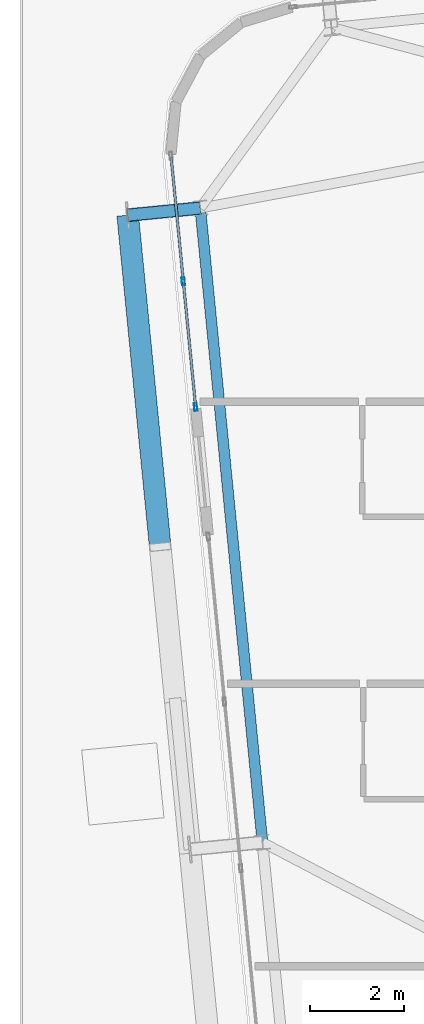
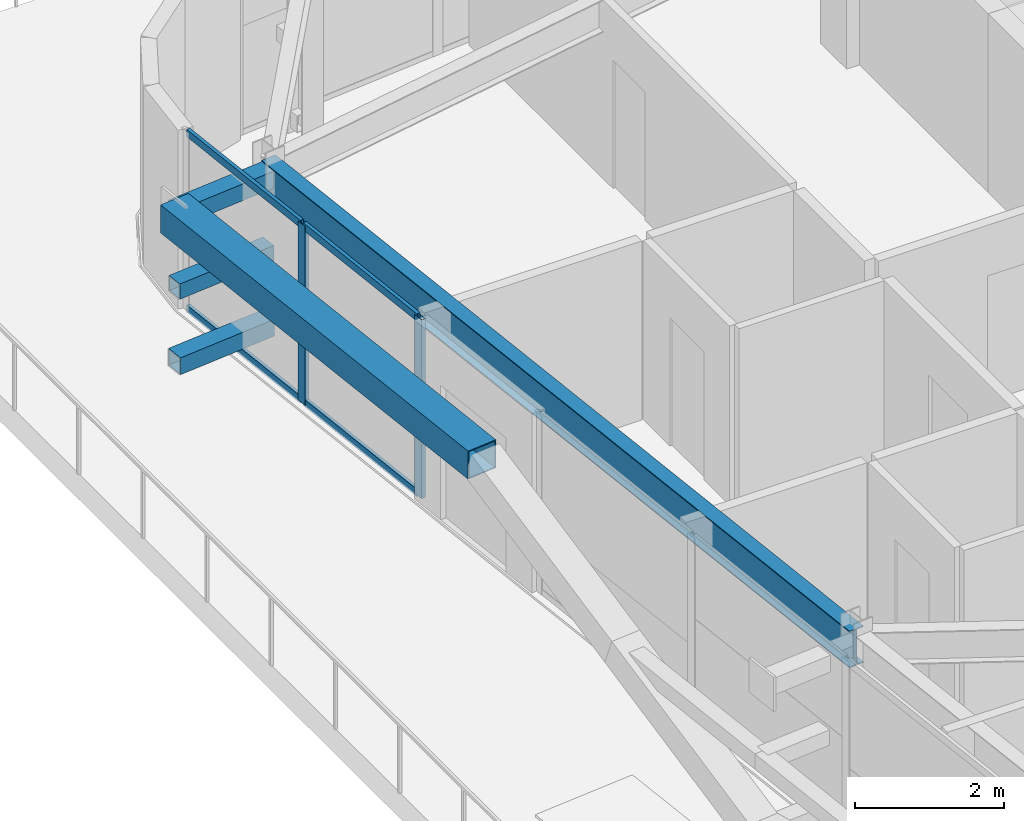
# One storey, part 15 of 51: 10 members, 1 beam, 1 element without a shape of its own.
"""IFC4 building model written with IfcOpenShell, lengths in metres."""

from ifc_helpers import new_model, si_unit, direction, frame, origin, origin_2d, place, context, subcontext, project, spatial, hollow_rectangle, i_section, extrude, source, transform, mapped, material, layer, layer_set, material_profile, profile_set, type_object, element, aggregate, save


model = new_model("IFC4")

# Units and contexts
model_context = context("Model", 3, precision=1e-05, world=origin(), true_north=direction((0.0, 1.0)))
body_context = subcontext(model_context, "Body", "Model", "MODEL_VIEW")
ifc_project = project(units=[si_unit("LENGTHUNIT", "METRE"), si_unit("AREAUNIT", "SQUARE_METRE"), si_unit("VOLUMEUNIT", "CUBIC_METRE"), si_unit("PLANEANGLEUNIT", "RADIAN"), si_unit("MASSUNIT", "GRAM", prefix="KILO")], contexts=[model_context])

# Site, building, storey
site_placement = place(None, origin())
site = spatial("IfcSite", under=ifc_project, at=site_placement, CompositionType="ELEMENT")
building_placement = place(site_placement, origin())
building = spatial("IfcBuilding", under=site, at=building_placement, Name="Taldren Reach Tower", CompositionType="ELEMENT")
storey_placement = place(building_placement, frame((0.0, 0.0, 65.10009765625)))
storey = spatial("IfcBuildingStorey", under=building, at=storey_placement, Name="L19", CompositionType="ELEMENT", Elevation=65.10009765625)

# Beam
ifc_material_1 = material(Name="Steel Gr 350 (350PLUS)", Category="steel")
ifc_material_profile_1 = material_profile(ifc_material_1, i_section(OverallWidth=0.22802734375, OverallDepth=0.60205078125, WebThickness=0.010498046875, FlangeThickness=0.014892578125, at=origin_2d()), Name="610UB101")
ifc_profile_set_1 = profile_set([ifc_material_profile_1], Name="Steel Gr 350 (350PLUS)")
beam_type = type_object("IfcBeamType", Name="BM-UB610B", PredefinedType="BEAM", material=ifc_profile_set_1)
shared_shape_1 = source(origin(), body_context, "Body", "SweptSolid", [
    extrude(i_section(OverallWidth=0.22802734375, OverallDepth=0.60205078125, WebThickness=0.010498046875, FlangeThickness=0.014892578125, at=origin_2d()), origin(), (0.0, 0.0, 1.0), 13.550048828125),
])
beam_placement = place(storey_placement, frame((8.808349609375, 30.116455078125, 2.62890625), z_axis=(0.097584021339, -0.995227290009, 0.0), x_axis=(0.995227290009, 0.097584021339, 0.0)))
element("IfcBeam", 1, at=beam_placement, inside=storey, type_object=beam_type, Name="Perimeter gable girder B2 W3-W2 L19", PredefinedType="BEAM", context=body_context, shape_type="MappedRepresentation", body=[
    mapped(shared_shape_1, transform((0.0, 0.0, 0.0), scale=1.0)),
])

# Members
ifc_material_2 = material(Name="Steel Gr 450 (C450L0)", Category="steel")
ifc_material_profile_2 = material_profile(ifc_material_2, hollow_rectangle(XDim=0.27490234375, YDim=0.27490234375, WallThickness=0.00927734375, at=origin_2d()), Name="275x275x9.3SHS")
ifc_profile_set_2 = profile_set([ifc_material_profile_2], Name="Steel Gr 450 (C450L0)")
member_type_1 = type_object("IfcMemberType", Name="MB-TIE273", PredefinedType="STRUT", material=ifc_profile_set_2)
shared_shape_2 = source(origin(), body_context, "Body", "SweptSolid", [
    extrude(hollow_rectangle(XDim=0.27490234375, YDim=0.27490234375, WallThickness=0.00927734375, at=origin_2d()), origin(), (0.0, 0.0, 1.0), 1.550048828125),
])
for number, where, z_axis, x_axis, name in (
    (2, (8.808349609375, 30.116455078125, 2.64990234375), (-0.9952210252, -0.097647892962, 0.0), (0.097647892962, -0.9952210252, 0.0), "Exoskeleton diaphragm tie strut B2-W3 L19"),
    (3, (8.808349609375, 30.116455078125, 0.219970703125), (-0.9952210252, -0.097647892962, 0.0), (0.097647892962, -0.9952210252, 0.0), "Exoskeleton base diaphragm tie strut B2-W3 L19"),
):
    element("IfcMember", number, at=place(storey_placement, frame(where, z_axis=z_axis, x_axis=x_axis)), inside=storey, type_object=member_type_1, Name=name, PredefinedType="STRUT", context=body_context, shape_type="MappedRepresentation", body=[
        mapped(shared_shape_2, transform((0.0, 0.0, 0.0), scale=1.0)),
    ])
ifc_material_3 = material(Name="Steel Gr 350 (C350L0)", Category="steel")
ifc_material_profile_3 = material_profile(ifc_material_3, hollow_rectangle(XDim=0.25, YDim=0.25, WallThickness=0.010009765625, at=origin_2d()), Name="250x250x10.0SHS")
ifc_profile_set_3 = profile_set([ifc_material_profile_3], Name="Steel Gr 350 (C350L0)")
member_type_2 = type_object("IfcMemberType", Name="MB-POST250", PredefinedType="POST", material=ifc_profile_set_3)
shared_shape_3 = source(origin(), body_context, "Body", "SweptSolid", [
    extrude(hollow_rectangle(XDim=0.25, YDim=0.25, WallThickness=0.010009765625, at=origin_2d()), origin(), (0.0, 0.0, 1.0), 1.550048828125),
])
member_1_placement = place(storey_placement, frame((8.808349609375, 30.116455078125, 1.434814453125), z_axis=(-0.9952210252, -0.097647892962, 0.0), x_axis=(0.097647892962, -0.9952210252, 0.0)))
element("IfcMember", 4, at=member_1_placement, inside=storey, type_object=member_type_2, Name="Exoskeleton mid-tier diaphragm tie B2-W3 L19", PredefinedType="POST", context=body_context, shape_type="MappedRepresentation", body=[
    mapped(shared_shape_3, transform((0.0, 0.0, 0.0), scale=1.0)),
])

# Curtain wall, members
ifc_material_4 = material(Name="Aluminium and Low-E Glass Unitised System", Category="aluminium")
ifc_layer = layer(ifc_material_4, 0.159912109375)
ifc_layer_set = layer_set([ifc_layer], Name="Aluminium and Low-E Glass Unitised System")
curtain_wall_type = type_object("IfcCurtainWallType", Name="CW-SYS-3", PredefinedType="NOTDEFINED", material=ifc_layer_set)
curtain_wall_placement = place(storey_placement, origin())
curtain_wall = element("IfcCurtainWall", 5, at=curtain_wall_placement, inside=storey, type_object=curtain_wall_type, Name="Unitised curtain wall CW-L19-W1", PredefinedType="NOTDEFINED")
ifc_material_5 = material(Name="Anodised Aluminium 6063-T6", Category="aluminium")
ifc_material_profile_4 = material_profile(ifc_material_5, hollow_rectangle(XDim=0.06494140625, YDim=0.1650390625, WallThickness=0.00390625, at=origin_2d()), Name="ALU-165x65x4RHS")
ifc_profile_set_4 = profile_set([ifc_material_profile_4], Name="Anodised Aluminium 6063-T6")
member_type_3 = type_object("IfcMemberType", Name="CW-MUL-165", PredefinedType="MULLION", material=ifc_profile_set_4)
shared_shape_4 = source(origin(), body_context, "Body", "SweptSolid", [
    extrude(hollow_rectangle(XDim=0.06494140625, YDim=0.1650390625, WallThickness=0.00390625, at=origin_2d()), origin(), (0.0, 0.0, 1.0), 2.929931640625),
])
member_2_placement = place(storey_placement, frame((8.44873046875, 28.556396484375, 0.0), z_axis=(0.0, 0.0, 1.0), x_axis=(0.995227453053, 0.097582358493, 0.0)))
member_2 = element("IfcMember", 6, at=member_2_placement, type_object=member_type_3, Name="CW-3 mullion 2", PredefinedType="MULLION", context=body_context, shape_type="MappedRepresentation", body=[
    mapped(shared_shape_4, transform((0.0, 0.0, 0.0), scale=1.0)),
])
member_3_placement = place(storey_placement, frame((8.710693359375, 25.88427734375, 0.0), z_axis=(0.0, 0.0, 1.0), x_axis=(0.995227453053, 0.097582358493, 0.0)))
member_3 = element("IfcMember", 7, at=member_3_placement, type_object=member_type_3, Name="CW-3 mullion 3", PredefinedType="MULLION", context=body_context, shape_type="MappedRepresentation", body=[
    mapped(shared_shape_4, transform((0.0, 0.0, 0.0), scale=1.0)),
])
ifc_material_profile_5 = material_profile(ifc_material_5, hollow_rectangle(XDim=0.054931640625, YDim=0.1201171875, WallThickness=0.0029296875, at=origin_2d()), Name="ALU-120x55x3RHS")
ifc_profile_set_5 = profile_set([ifc_material_profile_5], Name="Anodised Aluminium 6063-T6")
member_type_4 = type_object("IfcMemberType", Name="CW-TRN-135", PredefinedType="USERDEFINED", material=ifc_profile_set_5)
shared_shape_5 = source(origin(), body_context, "Body", "SweptSolid", [
    extrude(hollow_rectangle(XDim=0.054931640625, YDim=0.1201171875, WallThickness=0.0029296875, at=origin_2d()), origin(), (0.0, 0.0, 1.0), 2.619873046875),
])
member_4_placement = place(storey_placement, frame((8.18994140625, 31.1962890625, 0.02734375), z_axis=(0.097565994672, -0.995229057395, 0.0), x_axis=(0.995229057395, 0.097565994672, 0.0)))
member_4 = element("IfcMember", 8, at=member_4_placement, type_object=member_type_4, Name="CW-3 transom 1.1", ObjectType="TRANSOM", PredefinedType="USERDEFINED", context=body_context, shape_type="MappedRepresentation", body=[
    mapped(shared_shape_5, transform((0.0, 0.0, 0.0), scale=1.0)),
])
member_5_placement = place(storey_placement, frame((8.18994140625, 31.1962890625, 2.90234375), z_axis=(0.097565994672, -0.995229057395, 0.0), x_axis=(0.995229057395, 0.097565994672, 0.0)))
member_5 = element("IfcMember", 9, at=member_5_placement, type_object=member_type_4, Name="CW-3 transom 1.2", ObjectType="TRANSOM", PredefinedType="USERDEFINED", context=body_context, shape_type="MappedRepresentation", body=[
    mapped(shared_shape_5, transform((0.0, 0.0, 0.0), scale=1.0)),
])
shared_shape_6 = source(origin(), body_context, "Body", "SweptSolid", [
    extrude(hollow_rectangle(XDim=0.054931640625, YDim=0.1201171875, WallThickness=0.0029296875, at=origin_2d()), origin(), (0.0, 0.0, 1.0), 2.6201171875),
])
member_6_placement = place(storey_placement, frame((8.451904296875, 28.524169921875, 0.02734375), z_axis=(0.097556947075, -0.995229944323, 0.0), x_axis=(0.995229944323, 0.097556947075, 0.0)))
member_6 = element("IfcMember", 10, at=member_6_placement, type_object=member_type_4, Name="CW-3 transom 2.1", ObjectType="TRANSOM", PredefinedType="USERDEFINED", context=body_context, shape_type="MappedRepresentation", body=[
    mapped(shared_shape_6, transform((0.0, 0.0, 0.0), scale=1.0)),
])
member_7_placement = place(storey_placement, frame((8.451904296875, 28.524169921875, 2.90234375), z_axis=(0.097556947075, -0.995229944323, 0.0), x_axis=(0.995229944323, 0.097556947075, 0.0)))
member_7 = element("IfcMember", 11, at=member_7_placement, type_object=member_type_4, Name="CW-3 transom 2.2", ObjectType="TRANSOM", PredefinedType="USERDEFINED", context=body_context, shape_type="MappedRepresentation", body=[
    mapped(shared_shape_6, transform((0.0, 0.0, 0.0), scale=1.0)),
])
aggregate(curtain_wall, [member_2, member_3, member_4, member_5, member_6, member_7])

# Member
ifc_material_profile_6 = material_profile(ifc_material_2, hollow_rectangle(XDim=0.4599609375, YDim=0.4599609375, WallThickness=0.01611328125, at=origin_2d()), Name="460x460x16.0SHS")
ifc_profile_set_6 = profile_set([ifc_material_profile_6], Name="Steel Gr 450 (C450L0)")
member_type_5 = type_object("IfcMemberType", Name="MB-EXO457", PredefinedType="BRACE", material=ifc_profile_set_6)
shared_shape_7 = source(origin(), body_context, "Body", "SweptSolid", [
    extrude(hollow_rectangle(XDim=0.4599609375, YDim=0.4599609375, WallThickness=0.01611328125, at=origin_2d()), origin(), (0.0, 0.0, 1.0), 7.0849609375),
])
member_8_placement = place(storey_placement, frame((7.95703125, 22.9140625, 2.64990234375), z_axis=(-0.097589493636, 0.995226753425, 0.0), x_axis=(-0.995226753425, -0.097589493636, 0.0)))
element("IfcMember", 12, at=member_8_placement, inside=storey, type_object=member_type_5, Name="Exoskeleton Diagrid Head Strut B2-W2 L19", PredefinedType="BRACE", context=body_context, shape_type="MappedRepresentation", body=[
    mapped(shared_shape_7, transform((0.0, 0.0, 0.0), scale=1.0)),
])

save(model, "model.ifc")
